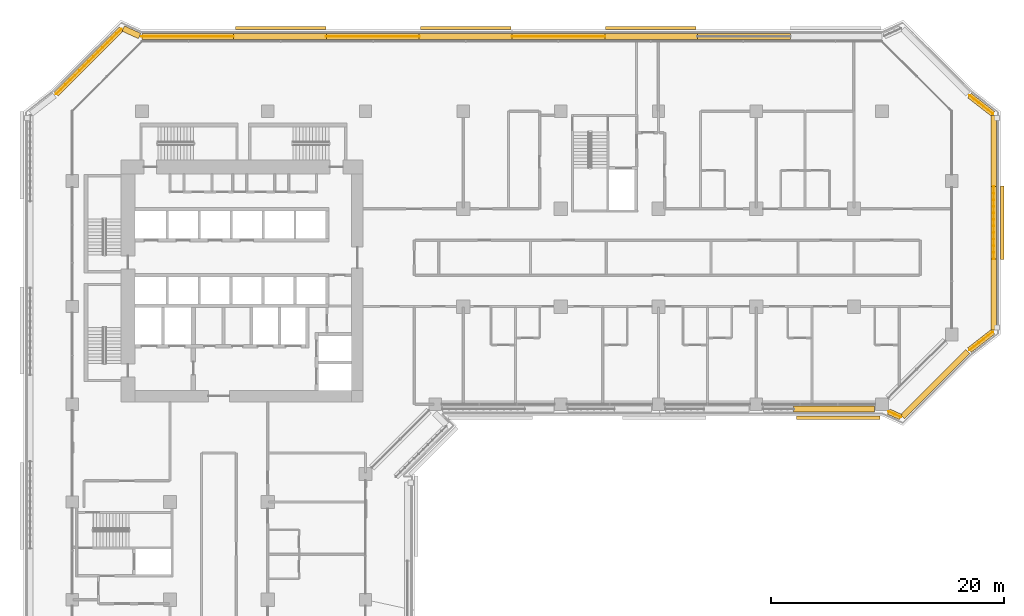
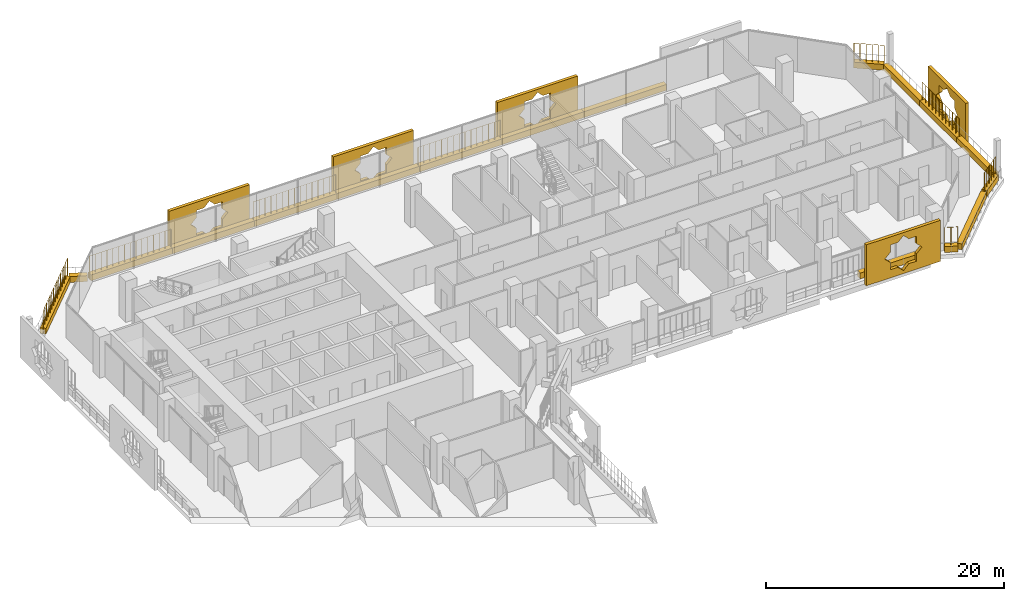
# One storey, part 24 of 25: 22 coverings, 8 railings.
"""IFC4 building model written with IfcOpenShell, lengths in metres."""

from ifc_helpers import new_model, si_unit, direction, frame, origin, origin_2d, place, context, subcontext, project, spatial, polyline, rectangle, circle, outline, extrude, material, material_profile, profile_set, type_object, element, save


model = new_model("IFC4")

# Units and contexts
model_context = context("Model", 3, precision=1e-05, world=origin(), true_north=direction((0.0, 1.0)))
body_context = subcontext(model_context, "Body", "Model", "MODEL_VIEW")
ifc_project = project(units=[si_unit("LENGTHUNIT", "METRE"), si_unit("AREAUNIT", "SQUARE_METRE"), si_unit("VOLUMEUNIT", "CUBIC_METRE"), si_unit("PLANEANGLEUNIT", "RADIAN"), si_unit("MASSUNIT", "GRAM", prefix="KILO")], contexts=[model_context])

# Site, building, storey
site_placement = place(None, origin())
site = spatial("IfcSite", under=ifc_project, at=site_placement, CompositionType="ELEMENT")
building_placement = place(site_placement, origin())
building = spatial("IfcBuilding", under=site, at=building_placement, Name="Kawkab Arch Medical Tower", CompositionType="ELEMENT")
storey_placement = place(building_placement, frame((0.0, 0.0, 132.39990234375)))
storey = spatial("IfcBuildingStorey", under=building, at=storey_placement, Name="L30", CompositionType="ELEMENT", Elevation=132.39990234375)

# Coverings
ifc_material_1 = material(Name="Bronze anodised aluminium mashrabiya panel, eight-point star pattern", Category="aluminium")
ifc_material_profile_1 = material_profile(ifc_material_1, outline(polyline([(-3.14990234375, -2.10009765625), (3.14990234375, -2.10009765625), (3.14990234375, 2.10009765625), (-3.14990234375, 2.10009765625), (-3.14990234375, -2.10009765625)]), holes=[polyline([(1.800048828125, 0.0), (1.272705078125, 0.527099609375), (1.272705078125, 1.272705078125), (0.527099609375, 1.272705078125), (0.0, 1.800048828125), (-0.527099609375, 1.272705078125), (-1.272705078125, 1.272705078125), (-1.272705078125, 0.527099609375), (-1.800048828125, 0.0), (-1.272705078125, -0.527099609375), (-1.272705078125, -1.272705078125), (-0.527099609375, -1.272705078125), (0.0, -1.800048828125), (0.527099609375, -1.272705078125), (1.272705078125, -1.272705078125), (1.272705078125, -0.527099609375), (1.800048828125, 0.0)])]), Name="Mashrabiya panel 6300x4200")
ifc_profile_set_1 = profile_set([ifc_material_profile_1], Name="Bronze anodised aluminium mashrabiya panel, eight-point star pattern")
covering_type_1 = type_object("IfcCoveringType", Name="Mashrabiya panel 6300 x 4200", PredefinedType="USERDEFINED", material=ifc_profile_set_1)
covering_1_placement = place(storey_placement, frame((79.800048828125, -9.60009765625, 1.7001953125), z_axis=(1.0, 0.0, 0.0), x_axis=(0.0, 1.0, 0.0)))
element("IfcCovering", 1, at=covering_1_placement, inside=storey, type_object=covering_type_1, Name="Mashrabiya panel L30.LOG-01-01.10", ObjectType="SCREEN", PredefinedType="USERDEFINED", context=body_context, shape_type="SweptSolid", body=[
    extrude(outline(polyline([(-3.14990234375, -2.10009765625), (3.14990234375, -2.10009765625), (3.14990234375, 2.10009765625), (-3.14990234375, 2.10009765625), (-3.14990234375, -2.10009765625)]), holes=[polyline([(1.800048828125, 0.0), (1.272705078125, 0.527099609375), (1.272705078125, 1.272705078125), (0.527099609375, 1.272705078125), (0.0, 1.800048828125), (-0.527099609375, 1.272705078125), (-1.272705078125, 1.272705078125), (-1.272705078125, 0.527099609375), (-1.800048828125, 0.0), (-1.272705078125, -0.527099609375), (-1.272705078125, -1.272705078125), (-0.527099609375, -1.272705078125), (0.0, -1.800048828125), (0.527099609375, -1.272705078125), (1.272705078125, -1.272705078125), (1.272705078125, -0.527099609375), (1.800048828125, 0.0)])]), origin(), (0.0, 0.0, 1.0), 0.300048828125),
])
ifc_material_2 = material(Name="Bronze anodised aluminium mashrabiya panel, eight-point star pattern", Category="aluminium")
ifc_material_profile_2 = material_profile(ifc_material_2, outline(polyline([(-3.60009765625, -2.10009765625), (3.60009765625, -2.10009765625), (3.60009765625, 2.10009765625), (-3.60009765625, 2.10009765625), (-3.60009765625, -2.10009765625)]), holes=[polyline([(1.800048828125, 0.0), (1.272705078125, 0.527099609375), (1.272705078125, 1.272705078125), (0.527099609375, 1.272705078125), (0.0, 1.800048828125), (-0.527099609375, 1.272705078125), (-1.272705078125, 1.272705078125), (-1.272705078125, 0.527099609375), (-1.800048828125, 0.0), (-1.272705078125, -0.527099609375), (-1.272705078125, -1.272705078125), (-0.527099609375, -1.272705078125), (0.0, -1.800048828125), (0.527099609375, -1.272705078125), (1.272705078125, -1.272705078125), (1.272705078125, -0.527099609375), (1.800048828125, 0.0)])]), Name="Mashrabiya panel 7200x4200")
ifc_profile_set_2 = profile_set([ifc_material_profile_2], Name="Bronze anodised aluminium mashrabiya panel, eight-point star pattern")
covering_type_2 = type_object("IfcCoveringType", Name="Mashrabiya panel 7200 x 4200", PredefinedType="USERDEFINED", material=ifc_profile_set_2)
covering_2_placement = place(storey_placement, frame((65.840087890625, -26.199951171875, 1.7001953125), z_axis=(0.0, -1.0, 0.0), x_axis=(1.0, 0.0, 0.0)))
element("IfcCovering", 2, at=covering_2_placement, inside=storey, type_object=covering_type_2, Name="Mashrabiya panel L30.LOG-01-01.11", ObjectType="SCREEN", PredefinedType="USERDEFINED", context=body_context, shape_type="SweptSolid", body=[
    extrude(outline(polyline([(-3.60009765625, -2.10009765625), (3.60009765625, -2.10009765625), (3.60009765625, 2.10009765625), (-3.60009765625, 2.10009765625), (-3.60009765625, -2.10009765625)]), holes=[polyline([(1.800048828125, 0.0), (1.272705078125, 0.527099609375), (1.272705078125, 1.272705078125), (0.527099609375, 1.272705078125), (0.0, 1.800048828125), (-0.527099609375, 1.272705078125), (-1.272705078125, 1.272705078125), (-1.272705078125, 0.527099609375), (-1.800048828125, 0.0), (-1.272705078125, -0.527099609375), (-1.272705078125, -1.272705078125), (-0.527099609375, -1.272705078125), (0.0, -1.800048828125), (0.527099609375, -1.272705078125), (1.272705078125, -1.272705078125), (1.272705078125, -0.527099609375), (1.800048828125, 0.0)])]), origin(), (0.0, 0.0, 1.0), 0.300048828125),
])
ifc_material_3 = material(Name="Bronze anodised aluminium mashrabiya panel, eight-point star pattern", Category="aluminium")
ifc_material_profile_3 = material_profile(ifc_material_3, outline(polyline([(-3.89990234375, -2.10009765625), (3.89990234375, -2.10009765625), (3.89990234375, 2.10009765625), (-3.89990234375, 2.10009765625), (-3.89990234375, -2.10009765625)]), holes=[polyline([(1.800048828125, 0.0), (1.272705078125, 0.527099609375), (1.272705078125, 1.272705078125), (0.527099609375, 1.272705078125), (0.0, 1.800048828125), (-0.527099609375, 1.272705078125), (-1.272705078125, 1.272705078125), (-1.272705078125, 0.527099609375), (-1.800048828125, 0.0), (-1.272705078125, -0.527099609375), (-1.272705078125, -1.272705078125), (-0.527099609375, -1.272705078125), (0.0, -1.800048828125), (0.527099609375, -1.272705078125), (1.272705078125, -1.272705078125), (1.272705078125, -0.527099609375), (1.800048828125, 0.0)])]), Name="Mashrabiya panel 7800x4200")
ifc_profile_set_3 = profile_set([ifc_material_profile_3], Name="Bronze anodised aluminium mashrabiya panel, eight-point star pattern")
covering_type_3 = type_object("IfcCoveringType", Name="Mashrabiya panel 7800 x 4200", PredefinedType="USERDEFINED", material=ifc_profile_set_3)
for number, where, z_axis, x_axis, name in (
    (3, (17.923583984375, 7.0, 1.7001953125), (0.0, 1.0, 0.0), (-1.0, 0.0, 0.0), "Mashrabiya panel L30.LOG-01-01.6"),
    (4, (33.82470703125, 7.0, 1.7001953125), (0.0, 1.0, 0.0), (-1.0, 0.0, 0.0), "Mashrabiya panel L30.LOG-01-01.7"),
    (5, (49.725830078125, 7.0, 1.7001953125), (0.0, 1.0, 0.0), (-1.0, 0.0, 0.0), "Mashrabiya panel L30.LOG-01-01.8"),
):
    element("IfcCovering", number, at=place(storey_placement, frame(where, z_axis=z_axis, x_axis=x_axis)), inside=storey, type_object=covering_type_3, Name=name, ObjectType="SCREEN", PredefinedType="USERDEFINED", context=body_context, shape_type="SweptSolid", body=[
        extrude(outline(polyline([(-3.89990234375, -2.10009765625), (3.89990234375, -2.10009765625), (3.89990234375, 2.10009765625), (-3.89990234375, 2.10009765625), (-3.89990234375, -2.10009765625)]), holes=[polyline([(1.800048828125, 0.0), (1.272705078125, 0.527099609375), (1.272705078125, 1.272705078125), (0.527099609375, 1.272705078125), (0.0, 1.800048828125), (-0.527099609375, 1.272705078125), (-1.272705078125, 1.272705078125), (-1.272705078125, 0.527099609375), (-1.800048828125, 0.0), (-1.272705078125, -0.527099609375), (-1.272705078125, -1.272705078125), (-0.527099609375, -1.272705078125), (0.0, -1.800048828125), (0.527099609375, -1.272705078125), (1.272705078125, -1.272705078125), (1.272705078125, -0.527099609375), (1.800048828125, 0.0)])]), origin(), (0.0, 0.0, 1.0), 0.300048828125),
    ])
ifc_material_4 = material(Name="Planting soil in a precast trough", Category="concrete")
ifc_material_profile_4 = material_profile(ifc_material_4, rectangle(XDim=0.5, YDim=0.60009765625, at=origin_2d()), Name="Trough 500x600")
ifc_profile_set_4 = profile_set([ifc_material_profile_4], Name="Planting soil in a precast trough")
covering_type_4 = type_object("IfcCoveringType", Name="Planter trough 500 x 600", PredefinedType="USERDEFINED", material=ifc_profile_set_4)
covering_3_placement = place(storey_placement, frame((-1.383056640625, 1.472900390625, 0.300048828125), z_axis=(0.707106781187, 0.707106781187, 0.0), x_axis=(-0.707106781187, 0.707106781187, 0.0)))
element("IfcCovering", 6, at=covering_3_placement, inside=storey, type_object=covering_type_4, Name="Planter L30.LOG-01-01.15", ObjectType="PLANTER", PredefinedType="USERDEFINED", context=body_context, shape_type="SweptSolid", body=[
    extrude(rectangle(XDim=0.5, YDim=0.60009765625, at=origin_2d()), origin(), (0.0, 0.0, 1.0), 7.919677734375),
])
covering_4_placement = place(storey_placement, frame((4.37890625, 7.10205078125, 0.300048828125), z_axis=(0.909655525109, -0.415363486165, 0.0), x_axis=(0.415363486165, 0.909655525109, 0.0)))
element("IfcCovering", 7, at=covering_4_placement, inside=storey, type_object=covering_type_4, Name="Planter L30.LOG-01-01.16", ObjectType="PLANTER", PredefinedType="USERDEFINED", context=body_context, shape_type="SweptSolid", body=[
    extrude(rectangle(XDim=0.5, YDim=0.60009765625, at=origin_2d()), origin(), (0.0, 0.0, 1.0), 1.54345703125),
])
covering_5_placement = place(storey_placement, frame((5.97412109375, 6.419921875, 0.300048828125), z_axis=(1.0, 0.0, 0.0), x_axis=(0.0, 1.0, 0.0)))
element("IfcCovering", 8, at=covering_5_placement, inside=storey, type_object=covering_type_4, Name="Planter L30.LOG-01-01.17", ObjectType="PLANTER", PredefinedType="USERDEFINED", context=body_context, shape_type="SweptSolid", body=[
    extrude(rectangle(XDim=0.5, YDim=0.60009765625, at=origin_2d()), origin(), (0.0, 0.0, 1.0), 7.8818359375),
])
covering_6_placement = place(storey_placement, frame((13.85595703125, 6.419921875, 0.300048828125), z_axis=(1.0, 0.0, 0.0), x_axis=(0.0, 1.0, 0.0)))
element("IfcCovering", 9, at=covering_6_placement, inside=storey, type_object=covering_type_4, Name="Planter L30.LOG-01-01.18", ObjectType="PLANTER", PredefinedType="USERDEFINED", context=body_context, shape_type="SweptSolid", body=[
    extrude(rectangle(XDim=0.5, YDim=0.60009765625, at=origin_2d()), origin(), (0.0, 0.0, 1.0), 7.98095703125),
])
covering_7_placement = place(storey_placement, frame((21.8369140625, 6.419921875, 0.300048828125), z_axis=(1.0, 0.0, 0.0), x_axis=(0.0, 1.0, 0.0)))
element("IfcCovering", 10, at=covering_7_placement, inside=storey, type_object=covering_type_4, Name="Planter L30.LOG-01-01.19", ObjectType="PLANTER", PredefinedType="USERDEFINED", context=body_context, shape_type="SweptSolid", body=[
    extrude(rectangle(XDim=0.5, YDim=0.60009765625, at=origin_2d()), origin(), (0.0, 0.0, 1.0), 7.982177734375),
])
for number, where, z_axis, x_axis, name in (
    (11, (29.819091796875, 6.419921875, 0.300048828125), (1.0, 0.0, 0.0), (0.0, 1.0, 0.0), "Planter L30.LOG-01-01.20"),
    (12, (37.800048828125, 6.419921875, 0.300048828125), (1.0, 0.0, 0.0), (0.0, 1.0, 0.0), "Planter L30.LOG-01-01.21"),
):
    element("IfcCovering", number, at=place(storey_placement, frame(where, z_axis=z_axis, x_axis=x_axis)), inside=storey, type_object=covering_type_4, Name=name, ObjectType="PLANTER", PredefinedType="USERDEFINED", context=body_context, shape_type="SweptSolid", body=[
        extrude(rectangle(XDim=0.5, YDim=0.60009765625, at=origin_2d()), origin(), (0.0, 0.0, 1.0), 7.98095703125),
    ])
covering_8_placement = place(storey_placement, frame((45.781005859375, 6.419921875, 0.300048828125), z_axis=(1.0, 0.0, 0.0), x_axis=(0.0, 1.0, 0.0)))
element("IfcCovering", 13, at=covering_8_placement, inside=storey, type_object=covering_type_4, Name="Planter L30.LOG-01-01.22", ObjectType="PLANTER", PredefinedType="USERDEFINED", context=body_context, shape_type="SweptSolid", body=[
    extrude(rectangle(XDim=0.5, YDim=0.60009765625, at=origin_2d()), origin(), (0.0, 0.0, 1.0), 7.98193359375),
])
covering_9_placement = place(storey_placement, frame((53.762939453125, 6.419921875, 0.300048828125), z_axis=(1.0, 0.0, 0.0), x_axis=(0.0, 1.0, 0.0)))
element("IfcCovering", 14, at=covering_9_placement, inside=storey, type_object=covering_type_4, Name="Planter L30.LOG-01-01.23", ObjectType="PLANTER", PredefinedType="USERDEFINED", context=body_context, shape_type="SweptSolid", body=[
    extrude(rectangle(XDim=0.5, YDim=0.60009765625, at=origin_2d()), origin(), (0.0, 0.0, 1.0), 7.98095703125),
])
covering_10_placement = place(storey_placement, frame((77.132080078125, 1.341064453125, 0.300048828125), z_axis=(0.789274742246, -0.61404021143, 0.0), x_axis=(0.61404021143, 0.789274742246, 0.0)))
element("IfcCovering", 15, at=covering_10_placement, inside=storey, type_object=covering_type_4, Name="Planter L30.LOG-01-01.27", ObjectType="PLANTER", PredefinedType="USERDEFINED", context=body_context, shape_type="SweptSolid", body=[
    extrude(rectangle(XDim=0.5, YDim=0.60009765625, at=origin_2d()), origin(), (0.0, 0.0, 1.0), 2.54541015625),
])
covering_11_placement = place(storey_placement, frame((79.219970703125, -0.384033203125, 0.300048828125), z_axis=(0.0, -1.0, 0.0), x_axis=(1.0, 0.0, 0.0)))
element("IfcCovering", 16, at=covering_11_placement, inside=storey, type_object=covering_type_4, Name="Planter L30.LOG-01-01.28", ObjectType="PLANTER", PredefinedType="USERDEFINED", context=body_context, shape_type="SweptSolid", body=[
    extrude(rectangle(XDim=0.5, YDim=0.60009765625, at=origin_2d()), origin(), (0.0, 0.0, 1.0), 6.111083984375),
])
covering_12_placement = place(storey_placement, frame((79.219970703125, -6.4951171875, 0.300048828125), z_axis=(0.0, -1.0, 0.0), x_axis=(1.0, 0.0, 0.0)))
element("IfcCovering", 17, at=covering_12_placement, inside=storey, type_object=covering_type_4, Name="Planter L30.LOG-01-01.29", ObjectType="PLANTER", PredefinedType="USERDEFINED", context=body_context, shape_type="SweptSolid", body=[
    extrude(rectangle(XDim=0.5, YDim=0.60009765625, at=origin_2d()), origin(), (0.0, 0.0, 1.0), 6.2099609375),
])
covering_13_placement = place(storey_placement, frame((79.219970703125, -12.705078125, 0.300048828125), z_axis=(0.0, -1.0, 0.0), x_axis=(1.0, 0.0, 0.0)))
element("IfcCovering", 18, at=covering_13_placement, inside=storey, type_object=covering_type_4, Name="Planter L30.LOG-01-01.30", ObjectType="PLANTER", PredefinedType="USERDEFINED", context=body_context, shape_type="SweptSolid", body=[
    extrude(rectangle(XDim=0.5, YDim=0.60009765625, at=origin_2d()), origin(), (0.0, 0.0, 1.0), 6.11083984375),
])
covering_14_placement = place(storey_placement, frame((79.14111328125, -18.97802734375, 0.300048828125), z_axis=(-0.789274742246, -0.61404021143, 0.0), x_axis=(0.61404021143, -0.789274742246, 0.0)))
element("IfcCovering", 19, at=covering_14_placement, inside=storey, type_object=covering_type_4, Name="Planter L30.LOG-01-01.31", ObjectType="PLANTER", PredefinedType="USERDEFINED", context=body_context, shape_type="SweptSolid", body=[
    extrude(rectangle(XDim=0.5, YDim=0.60009765625, at=origin_2d()), origin(), (0.0, 0.0, 1.0), 2.54541015625),
])
covering_15_placement = place(storey_placement, frame((76.98291015625, -20.673095703125, 0.300048828125), z_axis=(-0.707106781187, -0.707106781187, 0.0), x_axis=(0.707106781187, -0.707106781187, 0.0)))
element("IfcCovering", 20, at=covering_15_placement, inside=storey, type_object=covering_type_4, Name="Planter L30.LOG-01-01.32", ObjectType="PLANTER", PredefinedType="USERDEFINED", context=body_context, shape_type="SweptSolid", body=[
    extrude(rectangle(XDim=0.5, YDim=0.60009765625, at=origin_2d()), origin(), (0.0, 0.0, 1.0), 7.91943359375),
])
covering_16_placement = place(storey_placement, frame((71.220947265625, -26.302001953125, 0.300048828125), z_axis=(-0.90986596287, 0.414902313335, 0.0), x_axis=(-0.414902313335, -0.90986596287, 0.0)))
element("IfcCovering", 21, at=covering_16_placement, inside=storey, type_object=covering_type_4, Name="Planter L30.LOG-01-01.33", ObjectType="PLANTER", PredefinedType="USERDEFINED", context=body_context, shape_type="SweptSolid", body=[
    extrude(rectangle(XDim=0.5, YDim=0.60009765625, at=origin_2d()), origin(), (0.0, 0.0, 1.0), 1.137451171875),
])
covering_17_placement = place(storey_placement, frame((68.969970703125, -25.6201171875, 0.300048828125), z_axis=(-1.0, 0.0, 0.0), x_axis=(0.0, -1.0, 0.0)))
element("IfcCovering", 22, at=covering_17_placement, inside=storey, type_object=covering_type_4, Name="Planter L30.LOG-01-01.34", ObjectType="PLANTER", PredefinedType="USERDEFINED", context=body_context, shape_type="SweptSolid", body=[
    extrude(rectangle(XDim=0.5, YDim=0.60009765625, at=origin_2d()), origin(), (0.0, 0.0, 1.0), 6.951904296875),
])

# Railings
ifc_material_5 = material(Name="Bronze anodised aluminium trellis for climbing plants", Category="aluminium")
railing_type = type_object("IfcRailingType", Name="Planting trellis 2400", PredefinedType="USERDEFINED", material=ifc_material_5)
railing_1_placement = place(storey_placement, frame((-1.383056640625, 1.472900390625, 0.0)))
element("IfcRailing", 23, at=railing_1_placement, inside=storey, type_object=railing_type, Name="Planting trellis L30.LOG-01-01.15", ObjectType="TRELLIS", PredefinedType="USERDEFINED", context=body_context, shape_type="SweptSolid", body=[
    extrude(circle(Radius=0.01513671875, at=origin_2d()), frame((0.0, 0.0, 2.384765625), z_axis=(0.707106781187, 0.707106781187, 0.0), x_axis=(-0.707106781187, 0.707106781187, 0.0)), (0.0, 0.0, 1.0), 7.919677734375),
    extrude(circle(Radius=0.030029296875, at=origin_2d()), origin(), (0.0, 0.0, 1.0), 2.369873046875),
    extrude(circle(Radius=0.030029296875, at=origin_2d()), frame((0.39990234375, 0.39990234375, 0.0)), (0.0, 0.0, 1.0), 2.369873046875),
    extrude(circle(Radius=0.030029296875, at=origin_2d()), frame((0.800048828125, 0.800048828125, 0.0)), (0.0, 0.0, 1.0), 2.369873046875),
    extrude(circle(Radius=0.030029296875, at=origin_2d()), frame((1.199951171875, 1.199951171875, 0.0)), (0.0, 0.0, 1.0), 2.369873046875),
    extrude(circle(Radius=0.030029296875, at=origin_2d()), frame((1.60009765625, 1.60009765625, 0.0)), (0.0, 0.0, 1.0), 2.369873046875),
    extrude(circle(Radius=0.030029296875, at=origin_2d()), frame((2.0, 2.0, 0.0)), (0.0, 0.0, 1.0), 2.369873046875),
    extrude(circle(Radius=0.030029296875, at=origin_2d()), frame((2.400146484375, 2.400146484375, 0.0)), (0.0, 0.0, 1.0), 2.369873046875),
    extrude(circle(Radius=0.030029296875, at=origin_2d()), frame((2.800048828125, 2.800048828125, 0.0)), (0.0, 0.0, 1.0), 2.369873046875),
    extrude(circle(Radius=0.030029296875, at=origin_2d()), frame((3.199951171875, 3.199951171875, 0.0)), (0.0, 0.0, 1.0), 2.369873046875),
    extrude(circle(Radius=0.030029296875, at=origin_2d()), frame((3.60009765625, 3.60009765625, 0.0)), (0.0, 0.0, 1.0), 2.369873046875),
    extrude(circle(Radius=0.030029296875, at=origin_2d()), frame((4.0, 4.0, 0.0)), (0.0, 0.0, 1.0), 2.369873046875),
    extrude(circle(Radius=0.030029296875, at=origin_2d()), frame((4.400146484375, 4.400146484375, 0.0)), (0.0, 0.0, 1.0), 2.369873046875),
    extrude(circle(Radius=0.030029296875, at=origin_2d()), frame((4.800048828125, 4.800048828125, 0.0)), (0.0, 0.0, 1.0), 2.369873046875),
    extrude(circle(Radius=0.030029296875, at=origin_2d()), frame((5.2001953125, 5.2001953125, 0.0)), (0.0, 0.0, 1.0), 2.369873046875),
    extrude(circle(Radius=0.030029296875, at=origin_2d()), frame((5.60009765625, 5.60009765625, 0.0)), (0.0, 0.0, 1.0), 2.369873046875),
])
railing_2_placement = place(storey_placement, frame((5.97412109375, 6.419921875, 0.0)))
element("IfcRailing", 24, at=railing_2_placement, inside=storey, type_object=railing_type, Name="Planting trellis L30.LOG-01-01.17", ObjectType="TRELLIS", PredefinedType="USERDEFINED", context=body_context, shape_type="SweptSolid", body=[
    extrude(circle(Radius=0.01513671875, at=origin_2d()), frame((0.0, 0.0, 2.384765625), z_axis=(1.0, 0.0, 0.0), x_axis=(0.0, 1.0, 0.0)), (0.0, 0.0, 1.0), 7.8818359375),
    extrude(circle(Radius=0.030029296875, at=origin_2d()), origin(), (0.0, 0.0, 1.0), 2.369873046875),
    extrude(circle(Radius=0.030029296875, at=origin_2d()), frame((0.56298828125, 0.0, 0.0)), (0.0, 0.0, 1.0), 2.369873046875),
    extrude(circle(Radius=0.030029296875, at=origin_2d()), frame((1.1259765625, 0.0, 0.0)), (0.0, 0.0, 1.0), 2.369873046875),
    extrude(circle(Radius=0.030029296875, at=origin_2d()), frame((1.68896484375, 0.0, 0.0)), (0.0, 0.0, 1.0), 2.369873046875),
    extrude(circle(Radius=0.030029296875, at=origin_2d()), frame((2.251953125, 0.0, 0.0)), (0.0, 0.0, 1.0), 2.369873046875),
    extrude(circle(Radius=0.030029296875, at=origin_2d()), frame((2.81494140625, 0.0, 0.0)), (0.0, 0.0, 1.0), 2.369873046875),
    extrude(circle(Radius=0.030029296875, at=origin_2d()), frame((3.3779296875, 0.0, 0.0)), (0.0, 0.0, 1.0), 2.369873046875),
    extrude(circle(Radius=0.030029296875, at=origin_2d()), frame((3.94091796875, 0.0, 0.0)), (0.0, 0.0, 1.0), 2.369873046875),
    extrude(circle(Radius=0.030029296875, at=origin_2d()), frame((4.50390625, 0.0, 0.0)), (0.0, 0.0, 1.0), 2.369873046875),
    extrude(circle(Radius=0.030029296875, at=origin_2d()), frame((5.06689453125, 0.0, 0.0)), (0.0, 0.0, 1.0), 2.369873046875),
    extrude(circle(Radius=0.030029296875, at=origin_2d()), frame((5.6298828125, 0.0, 0.0)), (0.0, 0.0, 1.0), 2.369873046875),
    extrude(circle(Radius=0.030029296875, at=origin_2d()), frame((6.19287109375, 0.0, 0.0)), (0.0, 0.0, 1.0), 2.369873046875),
    extrude(circle(Radius=0.030029296875, at=origin_2d()), frame((6.755859375, 0.0, 0.0)), (0.0, 0.0, 1.0), 2.369873046875),
    extrude(circle(Radius=0.030029296875, at=origin_2d()), frame((7.31884765625, 0.0, 0.0)), (0.0, 0.0, 1.0), 2.369873046875),
    extrude(circle(Radius=0.030029296875, at=origin_2d()), frame((7.8818359375, 0.0, 0.0)), (0.0, 0.0, 1.0), 2.369873046875),
])
railing_3_placement = place(storey_placement, frame((21.8369140625, 6.419921875, 0.0)))
element("IfcRailing", 25, at=railing_3_placement, inside=storey, type_object=railing_type, Name="Planting trellis L30.LOG-01-01.19", ObjectType="TRELLIS", PredefinedType="USERDEFINED", context=body_context, shape_type="SweptSolid", body=[
    extrude(circle(Radius=0.01513671875, at=origin_2d()), frame((0.0, 0.0, 2.384765625), z_axis=(1.0, 0.0, 0.0), x_axis=(0.0, 1.0, 0.0)), (0.0, 0.0, 1.0), 7.982177734375),
    extrude(circle(Radius=0.030029296875, at=origin_2d()), origin(), (0.0, 0.0, 1.0), 2.369873046875),
    extrude(circle(Radius=0.030029296875, at=origin_2d()), frame((0.570068359375, 0.0, 0.0)), (0.0, 0.0, 1.0), 2.369873046875),
    extrude(circle(Radius=0.030029296875, at=origin_2d()), frame((1.140380859375, 0.0, 0.0)), (0.0, 0.0, 1.0), 2.369873046875),
    extrude(circle(Radius=0.030029296875, at=origin_2d()), frame((1.71044921875, 0.0, 0.0)), (0.0, 0.0, 1.0), 2.369873046875),
    extrude(circle(Radius=0.030029296875, at=origin_2d()), frame((2.280517578125, 0.0, 0.0)), (0.0, 0.0, 1.0), 2.369873046875),
    extrude(circle(Radius=0.030029296875, at=origin_2d()), frame((2.850830078125, 0.0, 0.0)), (0.0, 0.0, 1.0), 2.369873046875),
    extrude(circle(Radius=0.030029296875, at=origin_2d()), frame((3.4208984375, 0.0, 0.0)), (0.0, 0.0, 1.0), 2.369873046875),
    extrude(circle(Radius=0.030029296875, at=origin_2d()), frame((3.9912109375, 0.0, 0.0)), (0.0, 0.0, 1.0), 2.369873046875),
    extrude(circle(Radius=0.030029296875, at=origin_2d()), frame((4.561279296875, 0.0, 0.0)), (0.0, 0.0, 1.0), 2.369873046875),
    extrude(circle(Radius=0.030029296875, at=origin_2d()), frame((5.13134765625, 0.0, 0.0)), (0.0, 0.0, 1.0), 2.369873046875),
    extrude(circle(Radius=0.030029296875, at=origin_2d()), frame((5.70166015625, 0.0, 0.0)), (0.0, 0.0, 1.0), 2.369873046875),
    extrude(circle(Radius=0.030029296875, at=origin_2d()), frame((6.271728515625, 0.0, 0.0)), (0.0, 0.0, 1.0), 2.369873046875),
    extrude(circle(Radius=0.030029296875, at=origin_2d()), frame((6.841796875, 0.0, 0.0)), (0.0, 0.0, 1.0), 2.369873046875),
    extrude(circle(Radius=0.030029296875, at=origin_2d()), frame((7.412109375, 0.0, 0.0)), (0.0, 0.0, 1.0), 2.369873046875),
    extrude(circle(Radius=0.030029296875, at=origin_2d()), frame((7.982177734375, 0.0, 0.0)), (0.0, 0.0, 1.0), 2.369873046875),
])
railing_4_placement = place(storey_placement, frame((37.800048828125, 6.419921875, 0.0)))
element("IfcRailing", 26, at=railing_4_placement, inside=storey, type_object=railing_type, Name="Planting trellis L30.LOG-01-01.21", ObjectType="TRELLIS", PredefinedType="USERDEFINED", context=body_context, shape_type="SweptSolid", body=[
    extrude(circle(Radius=0.01513671875, at=origin_2d()), frame((0.0, 0.0, 2.384765625), z_axis=(1.0, 0.0, 0.0), x_axis=(0.0, 1.0, 0.0)), (0.0, 0.0, 1.0), 7.98095703125),
    extrude(circle(Radius=0.030029296875, at=origin_2d()), origin(), (0.0, 0.0, 1.0), 2.369873046875),
    extrude(circle(Radius=0.030029296875, at=origin_2d()), frame((0.570068359375, 0.0, 0.0)), (0.0, 0.0, 1.0), 2.369873046875),
    extrude(circle(Radius=0.030029296875, at=origin_2d()), frame((1.14013671875, 0.0, 0.0)), (0.0, 0.0, 1.0), 2.369873046875),
    extrude(circle(Radius=0.030029296875, at=origin_2d()), frame((1.710205078125, 0.0, 0.0)), (0.0, 0.0, 1.0), 2.369873046875),
    extrude(circle(Radius=0.030029296875, at=origin_2d()), frame((2.2802734375, 0.0, 0.0)), (0.0, 0.0, 1.0), 2.369873046875),
    extrude(circle(Radius=0.030029296875, at=origin_2d()), frame((2.850341796875, 0.0, 0.0)), (0.0, 0.0, 1.0), 2.369873046875),
    extrude(circle(Radius=0.030029296875, at=origin_2d()), frame((3.42041015625, 0.0, 0.0)), (0.0, 0.0, 1.0), 2.369873046875),
    extrude(circle(Radius=0.030029296875, at=origin_2d()), frame((3.990478515625, 0.0, 0.0)), (0.0, 0.0, 1.0), 2.369873046875),
    extrude(circle(Radius=0.030029296875, at=origin_2d()), frame((4.560546875, 0.0, 0.0)), (0.0, 0.0, 1.0), 2.369873046875),
    extrude(circle(Radius=0.030029296875, at=origin_2d()), frame((5.130615234375, 0.0, 0.0)), (0.0, 0.0, 1.0), 2.369873046875),
    extrude(circle(Radius=0.030029296875, at=origin_2d()), frame((5.70068359375, 0.0, 0.0)), (0.0, 0.0, 1.0), 2.369873046875),
    extrude(circle(Radius=0.030029296875, at=origin_2d()), frame((6.270751953125, 0.0, 0.0)), (0.0, 0.0, 1.0), 2.369873046875),
    extrude(circle(Radius=0.030029296875, at=origin_2d()), frame((6.8408203125, 0.0, 0.0)), (0.0, 0.0, 1.0), 2.369873046875),
    extrude(circle(Radius=0.030029296875, at=origin_2d()), frame((7.410888671875, 0.0, 0.0)), (0.0, 0.0, 1.0), 2.369873046875),
    extrude(circle(Radius=0.030029296875, at=origin_2d()), frame((7.98095703125, 0.0, 0.0)), (0.0, 0.0, 1.0), 2.369873046875),
])
railing_5_placement = place(storey_placement, frame((77.132080078125, 1.341064453125, 0.0)))
element("IfcRailing", 27, at=railing_5_placement, inside=storey, type_object=railing_type, Name="Planting trellis L30.LOG-01-01.27", ObjectType="TRELLIS", PredefinedType="USERDEFINED", context=body_context, shape_type="SweptSolid", body=[
    extrude(circle(Radius=0.01513671875, at=origin_2d()), frame((0.0, 0.0, 2.384765625), z_axis=(0.789274742246, -0.61404021143, 0.0), x_axis=(0.61404021143, 0.789274742246, 0.0)), (0.0, 0.0, 1.0), 2.54541015625),
    extrude(circle(Radius=0.030029296875, at=origin_2d()), origin(), (0.0, 0.0, 1.0), 2.369873046875),
    extrude(circle(Radius=0.030029296875, at=origin_2d()), frame((0.40185546875, -0.3125, 0.0)), (0.0, 0.0, 1.0), 2.369873046875),
    extrude(circle(Radius=0.030029296875, at=origin_2d()), frame((0.8037109375, -0.625244140625, 0.0)), (0.0, 0.0, 1.0), 2.369873046875),
    extrude(circle(Radius=0.030029296875, at=origin_2d()), frame((1.205322265625, -0.937744140625, 0.0)), (0.0, 0.0, 1.0), 2.369873046875),
    extrude(circle(Radius=0.030029296875, at=origin_2d()), frame((1.607177734375, -1.25048828125, 0.0)), (0.0, 0.0, 1.0), 2.369873046875),
    extrude(circle(Radius=0.030029296875, at=origin_2d()), frame((2.009033203125, -1.56298828125, 0.0)), (0.0, 0.0, 1.0), 2.369873046875),
])
railing_6_placement = place(storey_placement, frame((79.219970703125, -6.4951171875, 0.0)))
element("IfcRailing", 28, at=railing_6_placement, inside=storey, type_object=railing_type, Name="Planting trellis L30.LOG-01-01.29", ObjectType="TRELLIS", PredefinedType="USERDEFINED", context=body_context, shape_type="SweptSolid", body=[
    extrude(circle(Radius=0.01513671875, at=origin_2d()), frame((0.0, 0.0, 2.384765625), z_axis=(0.0, -1.0, 0.0), x_axis=(1.0, 0.0, 0.0)), (0.0, 0.0, 1.0), 6.2099609375),
    extrude(circle(Radius=0.030029296875, at=origin_2d()), origin(), (0.0, 0.0, 1.0), 2.369873046875),
    extrude(circle(Radius=0.030029296875, at=origin_2d()), frame((0.0, -0.564453125, 0.0)), (0.0, 0.0, 1.0), 2.369873046875),
    extrude(circle(Radius=0.030029296875, at=origin_2d()), frame((0.0, -1.129150390625, 0.0)), (0.0, 0.0, 1.0), 2.369873046875),
    extrude(circle(Radius=0.030029296875, at=origin_2d()), frame((0.0, -1.693603515625, 0.0)), (0.0, 0.0, 1.0), 2.369873046875),
    extrude(circle(Radius=0.030029296875, at=origin_2d()), frame((0.0, -2.258056640625, 0.0)), (0.0, 0.0, 1.0), 2.369873046875),
    extrude(circle(Radius=0.030029296875, at=origin_2d()), frame((0.0, -2.82275390625, 0.0)), (0.0, 0.0, 1.0), 2.369873046875),
    extrude(circle(Radius=0.030029296875, at=origin_2d()), frame((0.0, -3.38720703125, 0.0)), (0.0, 0.0, 1.0), 2.369873046875),
    extrude(circle(Radius=0.030029296875, at=origin_2d()), frame((0.0, -3.951904296875, 0.0)), (0.0, 0.0, 1.0), 2.369873046875),
    extrude(circle(Radius=0.030029296875, at=origin_2d()), frame((0.0, -4.516357421875, 0.0)), (0.0, 0.0, 1.0), 2.369873046875),
    extrude(circle(Radius=0.030029296875, at=origin_2d()), frame((0.0, -5.080810546875, 0.0)), (0.0, 0.0, 1.0), 2.369873046875),
    extrude(circle(Radius=0.030029296875, at=origin_2d()), frame((0.0, -5.6455078125, 0.0)), (0.0, 0.0, 1.0), 2.369873046875),
    extrude(circle(Radius=0.030029296875, at=origin_2d()), frame((0.0, -6.2099609375, 0.0)), (0.0, 0.0, 1.0), 2.369873046875),
])
railing_7_placement = place(storey_placement, frame((79.14111328125, -18.97802734375, 0.0)))
element("IfcRailing", 29, at=railing_7_placement, inside=storey, type_object=railing_type, Name="Planting trellis L30.LOG-01-01.31", ObjectType="TRELLIS", PredefinedType="USERDEFINED", context=body_context, shape_type="SweptSolid", body=[
    extrude(circle(Radius=0.01513671875, at=origin_2d()), frame((0.0, 0.0, 2.384765625), z_axis=(-0.789274742246, -0.61404021143, 0.0), x_axis=(0.61404021143, -0.789274742246, 0.0)), (0.0, 0.0, 1.0), 2.54541015625),
    extrude(circle(Radius=0.030029296875, at=origin_2d()), origin(), (0.0, 0.0, 1.0), 2.369873046875),
    extrude(circle(Radius=0.030029296875, at=origin_2d()), frame((-0.40185546875, -0.3125, 0.0)), (0.0, 0.0, 1.0), 2.369873046875),
    extrude(circle(Radius=0.030029296875, at=origin_2d()), frame((-0.8037109375, -0.625244140625, 0.0)), (0.0, 0.0, 1.0), 2.369873046875),
    extrude(circle(Radius=0.030029296875, at=origin_2d()), frame((-1.205322265625, -0.937744140625, 0.0)), (0.0, 0.0, 1.0), 2.369873046875),
    extrude(circle(Radius=0.030029296875, at=origin_2d()), frame((-1.607177734375, -1.25048828125, 0.0)), (0.0, 0.0, 1.0), 2.369873046875),
    extrude(circle(Radius=0.030029296875, at=origin_2d()), frame((-2.009033203125, -1.56298828125, 0.0)), (0.0, 0.0, 1.0), 2.369873046875),
])
railing_8_placement = place(storey_placement, frame((71.220947265625, -26.302001953125, 0.0)))
element("IfcRailing", 30, at=railing_8_placement, inside=storey, type_object=railing_type, Name="Planting trellis L30.LOG-01-01.33", ObjectType="TRELLIS", PredefinedType="USERDEFINED", context=body_context, shape_type="SweptSolid", body=[
    extrude(circle(Radius=0.01513671875, at=origin_2d()), frame((0.0, 0.0, 2.384765625), z_axis=(-0.90986596287, 0.414902313335, 0.0), x_axis=(-0.414902313335, -0.90986596287, 0.0)), (0.0, 0.0, 1.0), 1.137451171875),
    extrude(circle(Radius=0.030029296875, at=origin_2d()), origin(), (0.0, 0.0, 1.0), 2.369873046875),
    extrude(circle(Radius=0.030029296875, at=origin_2d()), frame((-0.517578125, 0.23583984375, 0.0)), (0.0, 0.0, 1.0), 2.369873046875),
    extrude(circle(Radius=0.030029296875, at=origin_2d()), frame((-1.034912109375, 0.471923828125, 0.0)), (0.0, 0.0, 1.0), 2.369873046875),
])

save(model, "model.ifc")
